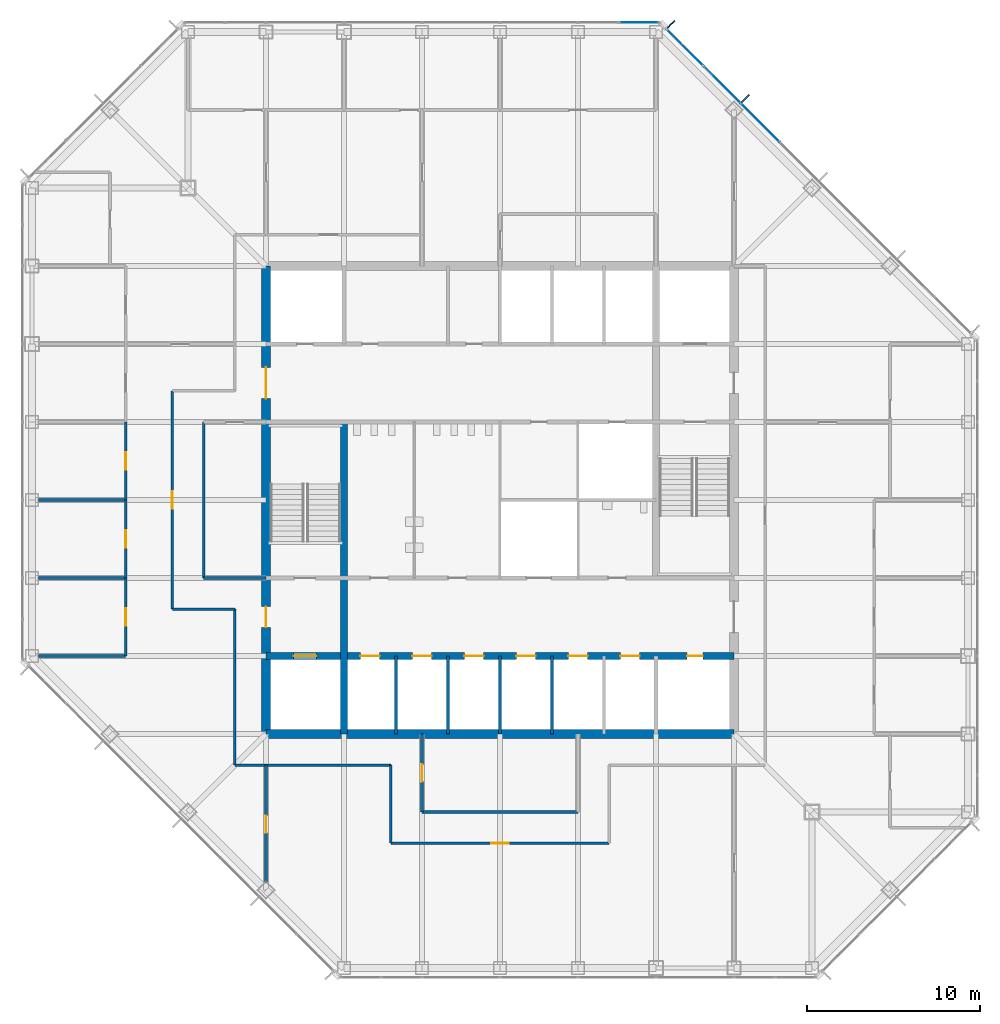
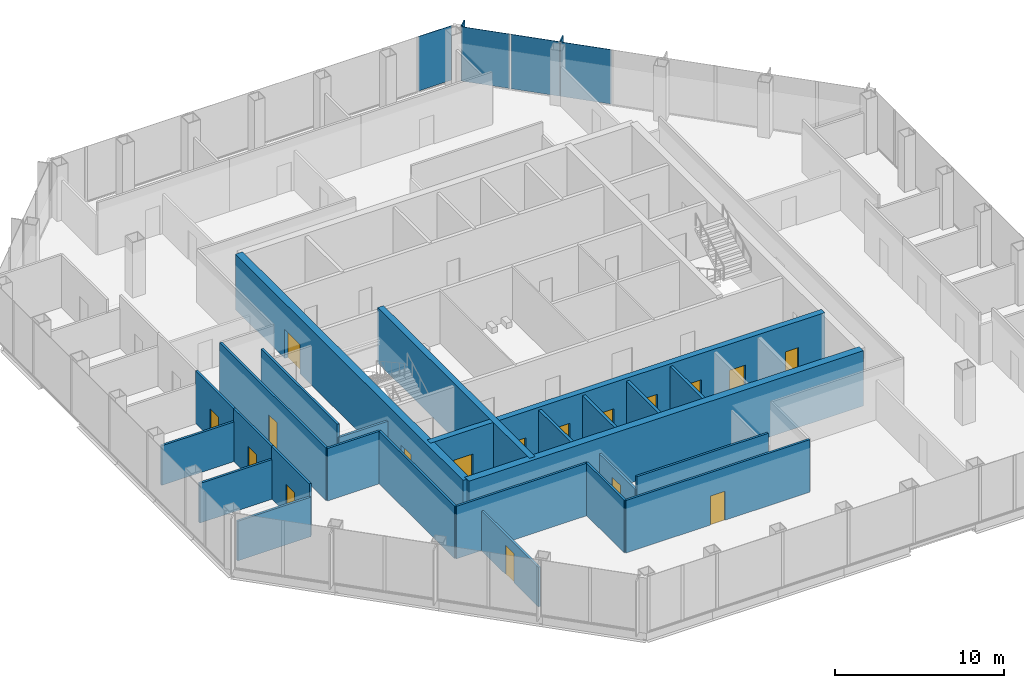
# One storey, part 8 of 13: 25 walls, 17 doors, 6 plates, 17 openings, 2 elements without a shape of their own.
"""IFC4 building model written with IfcOpenShell, lengths in metres."""

from ifc_helpers import new_model, si_unit, direction, frame, frame_2d, origin, origin_2d, place, context, subcontext, project, spatial, rectangle, extrude, material, layer, layer_set, type_object, element, fill, aggregate, save


model = new_model("IFC4")

# Units and contexts
model_context = context("Model", 3, precision=1e-05, world=origin(), true_north=direction((0.0, 1.0)))
body_context = subcontext(model_context, "Body", "Model", "MODEL_VIEW")
ifc_project = project(units=[si_unit("LENGTHUNIT", "METRE"), si_unit("AREAUNIT", "SQUARE_METRE"), si_unit("VOLUMEUNIT", "CUBIC_METRE"), si_unit("PLANEANGLEUNIT", "RADIAN"), si_unit("MASSUNIT", "GRAM", prefix="KILO")], contexts=[model_context])

# Site, building, storey
site_placement = place(None, origin())
site = spatial("IfcSite", under=ifc_project, at=site_placement, CompositionType="ELEMENT")
building_placement = place(site_placement, origin())
building = spatial("IfcBuilding", under=site, at=building_placement, Name="Corais Broadcast Tower", CompositionType="ELEMENT")
storey_placement = place(building_placement, frame((0.0, 0.0, 195.60009765625)))
storey = spatial("IfcBuildingStorey", under=building, at=storey_placement, Name="L45", CompositionType="ELEMENT", Elevation=195.60009765625)

# Curtain wall, plates
ifc_material_1 = material(Name="Aluminium and glass", Category="aluminium")
curtain_wall_type = type_object("IfcCurtainWallType", Name="Unitised fritted curtain wall CW2", PredefinedType="NOTDEFINED", material=ifc_material_1)
curtain_wall_1_placement = place(storey_placement, origin())
curtain_wall_1 = element("IfcCurtainWall", 1, at=curtain_wall_1_placement, inside=storey, type_object=curtain_wall_type, Name="CW2 curtain wall L45 5", PredefinedType="NOTDEFINED")
ifc_material_2 = material(Name="Ceramic-fritted laminated glass", Category="glass")
ifc_layer_1 = layer(ifc_material_2, 0.028076171875)
ifc_layer_set_1 = layer_set([ifc_layer_1], Name="Ceramic-fritted laminated glass")
plate_type_1 = type_object("IfcPlateType", Name="Fritted glass panel CW2", PredefinedType="CURTAIN_PANEL", material=ifc_layer_set_1)
plate_1_placement = place(storey_placement, frame((37.669677734375, 53.108154296875, 0.06494140625), z_axis=(0.0, 0.0, 1.0), x_axis=(0.707106781187, -0.707106781187, 0.0)))
plate_1 = element("IfcPlate", 2, at=plate_1_placement, type_object=plate_type_1, Name="CW2 panel 1", PredefinedType="CURTAIN_PANEL", context=body_context, shape_type="SweptSolid", body=[
    extrude(rectangle(XDim=2.9482421875, YDim=0.028076171875, at=origin_2d()), origin(), (0.0, 0.0, 1.0), 3.93505859375),
])
plate_2_placement = place(storey_placement, frame((42.013916015625, 48.763916015625, 0.06494140625), z_axis=(0.0, 0.0, 1.0), x_axis=(0.707106781187, -0.707106781187, 0.0)))
plate_2 = element("IfcPlate", 3, at=plate_2_placement, type_object=plate_type_1, Name="CW2 panel 3", PredefinedType="CURTAIN_PANEL", context=body_context, shape_type="SweptSolid", body=[
    extrude(rectangle(XDim=3.116943359375, YDim=0.028076171875, at=origin_2d()), origin(), (0.0, 0.0, 1.0), 3.93505859375),
])

# Curtain wall, plate
curtain_wall_2_placement = place(storey_placement, origin())
curtain_wall_2 = element("IfcCurtainWall", 4, at=curtain_wall_2_placement, inside=storey, type_object=curtain_wall_type, Name="CW2 curtain wall L45 4", PredefinedType="NOTDEFINED")
ifc_material_3 = material(Name="Clear laminated glass", Category="glass")
ifc_layer_2 = layer(ifc_material_3, 0.031982421875)
ifc_layer_set_2 = layer_set([ifc_layer_2], Name="Clear laminated glass")
plate_type_2 = type_object("IfcPlateType", Name="Operable glass panel CW2", PredefinedType="CURTAIN_PANEL", material=ifc_layer_set_2)
plate_3_placement = place(storey_placement, frame((35.029541015625, 54.550048828125, 0.06494140625), z_axis=(0.0, 0.0, 1.0), x_axis=(1.0, 0.0, 0.0)))
plate_3 = element("IfcPlate", 5, at=plate_3_placement, type_object=plate_type_2, Name="CW2 operable panel 8", PredefinedType="CURTAIN_PANEL", context=body_context, shape_type="SweptSolid", body=[
    extrude(rectangle(XDim=2.266357421875, YDim=0.031982421875, at=origin_2d()), origin(), (0.0, 0.0, 1.0), 3.93505859375),
])
aggregate(curtain_wall_2, [plate_3])

# Plate
plate_4_placement = place(storey_placement, frame((39.81201171875, 50.9658203125, 0.06494140625), z_axis=(0.0, 0.0, 1.0), x_axis=(0.707106781187, -0.707106781187, 0.0)))
plate_4 = element("IfcPlate", 6, at=plate_4_placement, type_object=plate_type_2, Name="CW2 operable panel 2", PredefinedType="CURTAIN_PANEL", context=body_context, shape_type="SweptSolid", body=[
    extrude(rectangle(XDim=2.98095703125, YDim=0.031982421875, at=origin_2d()), origin(), (0.0, 0.0, 1.0), 3.93505859375),
])

aggregate(curtain_wall_1, [plate_1, plate_4, plate_2])

# Plates
ifc_material_4 = material(Name="Granite stone cladding", Category="masonry")
ifc_layer_3 = layer(ifc_material_4, 0.080078125)
ifc_layer_set_3 = layer_set([ifc_layer_3], Name="Granite stone cladding")
plate_type_3 = type_object("IfcPlateType", Name="Stone screen fin 80x600", PredefinedType="USERDEFINED", material=ifc_layer_set_3)
for number, where, z_axis, x_axis, name in (
    (7, (36.8779296875, 54.447021484375, 0.0), (0.0, 0.0, 1.0), (0.707106781187, -0.707106781187, 0.0), "SF1 stone screen fin L45"),
    (8, (41.16259765625, 50.16259765625, 0.0), (0.0, 0.0, 1.0), (0.707106781187, -0.707106781187, 0.0), "SF1 stone screen fin L45"),
):
    element("IfcPlate", number, at=place(storey_placement, frame(where, z_axis=z_axis, x_axis=x_axis)), inside=storey, type_object=plate_type_3, Name=name, ObjectType="STONE SCREEN FIN", PredefinedType="USERDEFINED", context=body_context, shape_type="SweptSolid", body=[
        extrude(rectangle(XDim=0.080078125, YDim=0.60009765625, at=origin_2d()), origin(), (0.0, 0.0, 1.0), 4.0),
    ])

# Wall
ifc_material_5 = material(Name="Concrete C50/60", Category="concrete")
ifc_layer_4 = layer(ifc_material_5, 0.39990234375)
ifc_layer_set_4 = layer_set([ifc_layer_4], Name="Concrete C50/60")
wall_type_1 = type_object("IfcWallType", Name="Core wall 400", PredefinedType="SHEAR", material=ifc_layer_set_4)
wall_1_placement = place(storey_placement, frame((18.0, 13.5, 0.0), z_axis=(0.0, 0.0, 1.0), x_axis=(0.0, 1.0, 0.0)))
element("IfcWall", 9, at=wall_1_placement, inside=storey, type_object=wall_type_1, Name="CR400 core wall X18A L45", PredefinedType="SHEAR", context=body_context, shape_type="SweptSolid", body=[
    extrude(rectangle(XDim=18.0, YDim=0.39990234375, at=frame_2d((9.0, 0.0))), origin(), (0.0, 0.0, 1.0), 4.0),
])

# Wall, openings, doors
wall_2_placement = place(storey_placement, frame((13.5, 18.0, 0.0), z_axis=(0.0, 0.0, 1.0), x_axis=(1.0, 0.0, 0.0)))
wall_2 = element("IfcWall", 10, at=wall_2_placement, inside=storey, type_object=wall_type_1, Name="CR400 core wall Y18 L45", PredefinedType="SHEAR", context=body_context, shape_type="SweptSolid", body=[
    extrude(rectangle(XDim=27.0, YDim=0.39990234375, at=frame_2d((13.5, 0.0))), origin(), (0.0, 0.0, 1.0), 4.0),
])
opening_1_placement = place(wall_2_placement, frame((24.300048828125, 0.0, 0.0)))
opening_1 = element("IfcOpeningElement", 11, at=opening_1_placement, cuts=wall_2, Name="Opening RD1", PredefinedType="OPENING", context=body_context, shape_type="SweptSolid", body=[
    extrude(rectangle(XDim=0.89990234375, YDim=2.10009765625, at=frame_2d((0.449951171875, 1.050048828125))), frame((0.0, 0.2099609375, 0.0), z_axis=(0.0, -1.0, 0.0), x_axis=(1.0, 0.0, 0.0)), (0.0, 0.0, 1.0), 0.419921875),
])
opening_2_placement = place(wall_2_placement, frame((5.449951171875, 0.0, 0.0)))
opening_2 = element("IfcOpeningElement", 12, at=opening_2_placement, cuts=wall_2, Name="Opening LD1", PredefinedType="OPENING", context=body_context, shape_type="SweptSolid", body=[
    extrude(rectangle(XDim=1.10009765625, YDim=2.10009765625, at=frame_2d((0.550048828125, 1.050048828125))), frame((0.0, 0.2099609375, 0.0), z_axis=(0.0, -1.0, 0.0), x_axis=(1.0, 0.0, 0.0)), (0.0, 0.0, 1.0), 0.419921875),
])
opening_3_placement = place(wall_2_placement, frame((8.449951171875, 0.0, 0.0)))
opening_3 = element("IfcOpeningElement", 13, at=opening_3_placement, cuts=wall_2, Name="Opening LD1", PredefinedType="OPENING", context=body_context, shape_type="SweptSolid", body=[
    extrude(rectangle(XDim=1.10009765625, YDim=2.10009765625, at=frame_2d((0.550048828125, 1.050048828125))), frame((0.0, 0.2099609375, 0.0), z_axis=(0.0, -1.0, 0.0), x_axis=(1.0, 0.0, 0.0)), (0.0, 0.0, 1.0), 0.419921875),
])
opening_4_placement = place(wall_2_placement, frame((11.449951171875, 0.0, 0.0)))
opening_4 = element("IfcOpeningElement", 14, at=opening_4_placement, cuts=wall_2, Name="Opening LD1", PredefinedType="OPENING", context=body_context, shape_type="SweptSolid", body=[
    extrude(rectangle(XDim=1.10009765625, YDim=2.10009765625, at=frame_2d((0.550048828125, 1.050048828125))), frame((0.0, 0.2099609375, 0.0), z_axis=(0.0, -1.0, 0.0), x_axis=(1.0, 0.0, 0.0)), (0.0, 0.0, 1.0), 0.419921875),
])
opening_5_placement = place(wall_2_placement, frame((14.449951171875, 0.0, 0.0)))
opening_5 = element("IfcOpeningElement", 15, at=opening_5_placement, cuts=wall_2, Name="Opening LD1", PredefinedType="OPENING", context=body_context, shape_type="SweptSolid", body=[
    extrude(rectangle(XDim=1.10009765625, YDim=2.10009765625, at=frame_2d((0.550048828125, 1.050048828125))), frame((0.0, 0.2099609375, 0.0), z_axis=(0.0, -1.0, 0.0), x_axis=(1.0, 0.0, 0.0)), (0.0, 0.0, 1.0), 0.419921875),
])
opening_6_placement = place(wall_2_placement, frame((17.449951171875, 0.0, 0.0)))
opening_6 = element("IfcOpeningElement", 16, at=opening_6_placement, cuts=wall_2, Name="Opening LD1", PredefinedType="OPENING", context=body_context, shape_type="SweptSolid", body=[
    extrude(rectangle(XDim=1.10009765625, YDim=2.10009765625, at=frame_2d((0.550048828125, 1.050048828125))), frame((0.0, 0.2099609375, 0.0), z_axis=(0.0, -1.0, 0.0), x_axis=(1.0, 0.0, 0.0)), (0.0, 0.0, 1.0), 0.419921875),
])
opening_7_placement = place(wall_2_placement, frame((20.449951171875, 0.0, 0.0)))
opening_7 = element("IfcOpeningElement", 17, at=opening_7_placement, cuts=wall_2, Name="Opening LD1", PredefinedType="OPENING", context=body_context, shape_type="SweptSolid", body=[
    extrude(rectangle(XDim=1.10009765625, YDim=2.10009765625, at=frame_2d((0.550048828125, 1.050048828125))), frame((0.0, 0.2099609375, 0.0), z_axis=(0.0, -1.0, 0.0), x_axis=(1.0, 0.0, 0.0)), (0.0, 0.0, 1.0), 0.419921875),
])
opening_8_placement = place(wall_2_placement, frame((1.60009765625, 0.0, 0.0)))
opening_8 = element("IfcOpeningElement", 18, at=opening_8_placement, cuts=wall_2, Name="Opening LD2", PredefinedType="OPENING", context=body_context, shape_type="SweptSolid", body=[
    extrude(rectangle(XDim=1.300048828125, YDim=2.199951171875, at=frame_2d((0.64990234375, 1.10009765625))), frame((0.0, 0.2099609375, 0.0), z_axis=(0.0, -1.0, 0.0), x_axis=(1.0, 0.0, 0.0)), (0.0, 0.0, 1.0), 0.419921875),
])
ifc_material_6 = material(Name="Stainless steel lift door", Category="steel")
door_type_1 = type_object("IfcDoorType", Name="Lift landing door 1100x2100", OperationType="SLIDING_TO_LEFT", PredefinedType="DOOR", material=ifc_material_6)
door_1_placement = place(opening_2_placement, origin())
door_1 = element("IfcDoor", 19, at=door_1_placement, inside=storey, type_object=door_type_1, Name="LD1 PM1 landing door L45", OperationType="SLIDING_TO_LEFT", OverallHeight=2.10009765625, OverallWidth=1.10009765625, PredefinedType="DOOR", context=body_context, shape_type="SweptSolid", body=[
    extrude(rectangle(XDim=1.10009765625, YDim=2.10009765625, at=frame_2d((0.550048828125, 1.050048828125))), frame((0.0, 0.02490234375, 0.0), z_axis=(0.0, -1.0, 0.0), x_axis=(1.0, 0.0, 0.0)), (0.0, 0.0, 1.0), 0.050048828125),
])
fill(opening_2, door_1)
door_2_placement = place(opening_3_placement, origin())
door_2 = element("IfcDoor", 20, at=door_2_placement, inside=storey, type_object=door_type_1, Name="LD1 PM2 landing door L45", OperationType="SLIDING_TO_LEFT", OverallHeight=2.10009765625, OverallWidth=1.10009765625, PredefinedType="DOOR", context=body_context, shape_type="SweptSolid", body=[
    extrude(rectangle(XDim=1.10009765625, YDim=2.10009765625, at=frame_2d((0.550048828125, 1.050048828125))), frame((0.0, 0.02490234375, 0.0), z_axis=(0.0, -1.0, 0.0), x_axis=(1.0, 0.0, 0.0)), (0.0, 0.0, 1.0), 0.050048828125),
])
fill(opening_3, door_2)
door_3_placement = place(opening_4_placement, origin())
door_3 = element("IfcDoor", 21, at=door_3_placement, inside=storey, type_object=door_type_1, Name="LD1 PM3 landing door L45", OperationType="SLIDING_TO_LEFT", OverallHeight=2.10009765625, OverallWidth=1.10009765625, PredefinedType="DOOR", context=body_context, shape_type="SweptSolid", body=[
    extrude(rectangle(XDim=1.10009765625, YDim=2.10009765625, at=frame_2d((0.550048828125, 1.050048828125))), frame((0.0, 0.02490234375, 0.0), z_axis=(0.0, -1.0, 0.0), x_axis=(1.0, 0.0, 0.0)), (0.0, 0.0, 1.0), 0.050048828125),
])
fill(opening_4, door_3)
door_4_placement = place(opening_5_placement, origin())
door_4 = element("IfcDoor", 22, at=door_4_placement, inside=storey, type_object=door_type_1, Name="LD1 PM4 landing door L45", OperationType="SLIDING_TO_LEFT", OverallHeight=2.10009765625, OverallWidth=1.10009765625, PredefinedType="DOOR", context=body_context, shape_type="SweptSolid", body=[
    extrude(rectangle(XDim=1.10009765625, YDim=2.10009765625, at=frame_2d((0.550048828125, 1.050048828125))), frame((0.0, 0.02490234375, 0.0), z_axis=(0.0, -1.0, 0.0), x_axis=(1.0, 0.0, 0.0)), (0.0, 0.0, 1.0), 0.050048828125),
])
fill(opening_5, door_4)
door_5_placement = place(opening_6_placement, origin())
door_5 = element("IfcDoor", 23, at=door_5_placement, inside=storey, type_object=door_type_1, Name="LD1 PM5 landing door L45", OperationType="SLIDING_TO_LEFT", OverallHeight=2.10009765625, OverallWidth=1.10009765625, PredefinedType="DOOR", context=body_context, shape_type="SweptSolid", body=[
    extrude(rectangle(XDim=1.10009765625, YDim=2.10009765625, at=frame_2d((0.550048828125, 1.050048828125))), frame((0.0, 0.02490234375, 0.0), z_axis=(0.0, -1.0, 0.0), x_axis=(1.0, 0.0, 0.0)), (0.0, 0.0, 1.0), 0.050048828125),
])
fill(opening_6, door_5)
door_6_placement = place(opening_7_placement, origin())
door_6 = element("IfcDoor", 24, at=door_6_placement, inside=storey, type_object=door_type_1, Name="LD1 PM6 landing door L45", OperationType="SLIDING_TO_LEFT", OverallHeight=2.10009765625, OverallWidth=1.10009765625, PredefinedType="DOOR", context=body_context, shape_type="SweptSolid", body=[
    extrude(rectangle(XDim=1.10009765625, YDim=2.10009765625, at=frame_2d((0.550048828125, 1.050048828125))), frame((0.0, 0.02490234375, 0.0), z_axis=(0.0, -1.0, 0.0), x_axis=(1.0, 0.0, 0.0)), (0.0, 0.0, 1.0), 0.050048828125),
])
fill(opening_7, door_6)
ifc_material_7 = material(Name="Stainless steel lift door", Category="steel")
door_type_2 = type_object("IfcDoorType", Name="Lift landing door 1300x2200", OperationType="SLIDING_TO_LEFT", PredefinedType="DOOR", material=ifc_material_7)
door_7_placement = place(opening_8_placement, origin())
door_7 = element("IfcDoor", 25, at=door_7_placement, inside=storey, type_object=door_type_2, Name="LD2 FL1 landing door L45", OperationType="SLIDING_TO_LEFT", OverallHeight=2.199951171875, OverallWidth=1.300048828125, PredefinedType="DOOR", context=body_context, shape_type="SweptSolid", body=[
    extrude(rectangle(XDim=1.300048828125, YDim=2.199951171875, at=frame_2d((0.64990234375, 1.10009765625))), frame((0.0, 0.02490234375, 0.0), z_axis=(0.0, -1.0, 0.0), x_axis=(1.0, 0.0, 0.0)), (0.0, 0.0, 1.0), 0.050048828125),
])
fill(opening_8, door_7)
ifc_material_8 = material(Name="Steel fire door", Category="steel")
door_type_3 = type_object("IfcDoorType", Name="Riser door 900x2100", OperationType="SINGLE_SWING_LEFT", PredefinedType="DOOR", material=ifc_material_8)
door_8_placement = place(opening_1_placement, origin())
door_8 = element("IfcDoor", 26, at=door_8_placement, inside=storey, type_object=door_type_3, Name="RD1 riser door L45", OperationType="SINGLE_SWING_RIGHT", OverallHeight=2.10009765625, OverallWidth=0.89990234375, PredefinedType="DOOR", context=body_context, shape_type="SweptSolid", body=[
    extrude(rectangle(XDim=0.89990234375, YDim=2.10009765625, at=frame_2d((0.449951171875, 1.050048828125))), frame((0.0, 0.02490234375, 0.0), z_axis=(0.0, -1.0, 0.0), x_axis=(1.0, 0.0, 0.0)), (0.0, 0.0, 1.0), 0.050048828125),
])
fill(opening_1, door_8)

# Wall
ifc_material_9 = material(Name="Concrete C50/60", Category="concrete")
ifc_layer_5 = layer(ifc_material_9, 0.5)
ifc_layer_set_5 = layer_set([ifc_layer_5], Name="Concrete C50/60")
wall_type_2 = type_object("IfcWallType", Name="Core wall 500", PredefinedType="SHEAR", material=ifc_layer_set_5)
wall_3_placement = place(storey_placement, frame((13.5, 13.5, 0.0), z_axis=(0.0, 0.0, 1.0), x_axis=(1.0, 0.0, 0.0)))
element("IfcWall", 27, at=wall_3_placement, inside=storey, type_object=wall_type_2, Name="CR500 core wall S L45", PredefinedType="SHEAR", context=body_context, shape_type="SweptSolid", body=[
    extrude(rectangle(XDim=27.0, YDim=0.5, at=frame_2d((13.5, 0.0))), origin(), (0.0, 0.0, 1.0), 4.0),
])

# Wall, openings, doors
wall_4_placement = place(storey_placement, frame((13.5, 40.5, 0.0), z_axis=(0.0, 0.0, 1.0), x_axis=(0.0, -1.0, 0.0)))
wall_4 = element("IfcWall", 28, at=wall_4_placement, inside=storey, type_object=wall_type_2, Name="CR500 core wall W L45", PredefinedType="SHEAR", context=body_context, shape_type="SweptSolid", body=[
    extrude(rectangle(XDim=27.0, YDim=0.5, at=frame_2d((13.5, 0.0))), origin(), (0.0, 0.0, 1.0), 4.0),
])
opening_9_placement = place(wall_4_placement, frame((19.64990234375, 0.0, 0.0)))
opening_9 = element("IfcOpeningElement", 29, at=opening_9_placement, cuts=wall_4, Name="Opening FD1", PredefinedType="OPENING", context=body_context, shape_type="SweptSolid", body=[
    extrude(rectangle(XDim=1.199951171875, YDim=2.10009765625, at=frame_2d((0.60009765625, 1.050048828125))), frame((0.0, 0.260009765625, 0.0), z_axis=(0.0, -1.0, 0.0), x_axis=(1.0, 0.0, 0.0)), (0.0, 0.0, 1.0), 0.52001953125),
])
opening_10_placement = place(wall_4_placement, frame((5.85009765625, 0.0, 0.0)))
opening_10 = element("IfcOpeningElement", 30, at=opening_10_placement, cuts=wall_4, Name="Opening FD2", PredefinedType="OPENING", context=body_context, shape_type="SweptSolid", body=[
    extrude(rectangle(XDim=1.800048828125, YDim=2.10009765625, at=frame_2d((0.89990234375, 1.050048828125))), frame((0.0, 0.260009765625, 0.0), z_axis=(0.0, -1.0, 0.0), x_axis=(1.0, 0.0, 0.0)), (0.0, 0.0, 1.0), 0.52001953125),
])
ifc_material_10 = material(Name="Steel fire door", Category="steel")
door_type_4 = type_object("IfcDoorType", Name="Fire door 1200x2100", OperationType="SINGLE_SWING_LEFT", PredefinedType="DOOR", material=ifc_material_10)
door_9_placement = place(opening_9_placement, origin())
door_9 = element("IfcDoor", 31, at=door_9_placement, inside=storey, type_object=door_type_4, Name="FD1 fire lobby A door L45", OperationType="SINGLE_SWING_RIGHT", OverallHeight=2.10009765625, OverallWidth=1.199951171875, PredefinedType="DOOR", context=body_context, shape_type="SweptSolid", body=[
    extrude(rectangle(XDim=1.199951171875, YDim=2.10009765625, at=frame_2d((0.60009765625, 1.050048828125))), frame((0.0, 0.02490234375, 0.0), z_axis=(0.0, -1.0, 0.0), x_axis=(1.0, 0.0, 0.0)), (0.0, 0.0, 1.0), 0.050048828125),
])
fill(opening_9, door_9)
ifc_material_11 = material(Name="Steel fire door", Category="steel")
door_type_5 = type_object("IfcDoorType", Name="Fire door pair 1800x2100", OperationType="DOUBLE_DOOR_SINGLE_SWING", PredefinedType="DOOR", material=ifc_material_11)
door_10_placement = place(opening_10_placement, origin())
door_10 = element("IfcDoor", 32, at=door_10_placement, inside=storey, type_object=door_type_5, Name="FD2 lift lobby door L45", OperationType="SINGLE_SWING_LEFT", OverallHeight=2.10009765625, OverallWidth=1.800048828125, PredefinedType="DOOR", context=body_context, shape_type="SweptSolid", body=[
    extrude(rectangle(XDim=1.800048828125, YDim=2.10009765625, at=frame_2d((0.89990234375, 1.050048828125))), frame((0.0, 0.02490234375, 0.0), z_axis=(0.0, -1.0, 0.0), x_axis=(1.0, 0.0, 0.0)), (0.0, 0.0, 1.0), 0.050048828125),
])
fill(opening_10, door_10)

# Wall, opening, door
ifc_material_12 = material(Name="Gypsum board on steel studs", Category="steel")
ifc_layer_6 = layer(ifc_material_12, 0.14990234375)
ifc_layer_set_6 = layer_set([ifc_layer_6], Name="Gypsum board on steel studs")
wall_type_3 = type_object("IfcWallType", Name="Partition 150", PredefinedType="PARTITIONING", material=ifc_layer_set_6)
wall_5_placement = place(storey_placement, frame((8.10009765625, 33.300048828125, 0.0), z_axis=(0.0, 0.0, 1.0), x_axis=(0.0, -1.0, 0.0)))
wall_5 = element("IfcWall", 33, at=wall_5_placement, inside=storey, type_object=wall_type_3, Name="IW3 corridor wall L45", PredefinedType="PARTITIONING", context=body_context, shape_type="SweptSolid", body=[
    extrude(rectangle(XDim=12.60009765625, YDim=0.14990234375, at=frame_2d((6.300048828125, 0.0))), origin(), (0.0, 0.0, 1.0), 3.7998046875),
])
opening_11_placement = place(wall_5_placement, frame((5.800048828125, 0.0, 0.0)))
opening_11 = element("IfcOpeningElement", 34, at=opening_11_placement, cuts=wall_5, Name="Opening D1", PredefinedType="OPENING", context=body_context, shape_type="SweptSolid", body=[
    extrude(rectangle(XDim=1.0, YDim=2.10009765625, at=frame_2d((0.5, 1.050048828125))), frame((0.0, 0.0849609375, 0.0), z_axis=(0.0, -1.0, 0.0), x_axis=(1.0, 0.0, 0.0)), (0.0, 0.0, 1.0), 0.169921875),
])
ifc_material_13 = material(Name="Timber door", Category="wood")
door_type_6 = type_object("IfcDoorType", Name="Single door 1000x2100", OperationType="SINGLE_SWING_LEFT", PredefinedType="DOOR", material=ifc_material_13)
door_11_placement = place(opening_11_placement, origin())
door_11 = element("IfcDoor", 35, at=door_11_placement, inside=storey, type_object=door_type_6, Name="D1 workplace door L45", OperationType="SINGLE_SWING_LEFT", OverallHeight=2.10009765625, OverallWidth=1.0, PredefinedType="DOOR", context=body_context, shape_type="SweptSolid", body=[
    extrude(rectangle(XDim=1.0, YDim=2.10009765625, at=frame_2d((0.5, 1.050048828125))), frame((0.0, 0.02490234375, 0.0), z_axis=(0.0, -1.0, 0.0), x_axis=(1.0, 0.0, 0.0)), (0.0, 0.0, 1.0), 0.050048828125),
])
fill(opening_11, door_11)

wall_6_placement = place(storey_placement, frame((20.699951171875, 7.199951171875, 0.0), z_axis=(0.0, 0.0, 1.0), x_axis=(1.0, 0.0, 0.0)))
wall_6 = element("IfcWall", 36, at=wall_6_placement, inside=storey, type_object=wall_type_3, Name="IW3 corridor wall L45", PredefinedType="PARTITIONING", context=body_context, shape_type="SweptSolid", body=[
    extrude(rectangle(XDim=12.60009765625, YDim=0.14990234375, at=frame_2d((6.300048828125, 0.0))), origin(), (0.0, 0.0, 1.0), 3.7998046875),
])
opening_12_placement = place(wall_6_placement, frame((5.800048828125, 0.0, 0.0)))
opening_12 = element("IfcOpeningElement", 37, at=opening_12_placement, cuts=wall_6, Name="Opening D1", PredefinedType="OPENING", context=body_context, shape_type="SweptSolid", body=[
    extrude(rectangle(XDim=1.0, YDim=2.10009765625, at=frame_2d((0.5, 1.050048828125))), frame((0.0, 0.0849609375, 0.0), z_axis=(0.0, -1.0, 0.0), x_axis=(1.0, 0.0, 0.0)), (0.0, 0.0, 1.0), 0.169921875),
])
door_12_placement = place(opening_12_placement, origin())
door_12 = element("IfcDoor", 38, at=door_12_placement, inside=storey, type_object=door_type_6, Name="D1 workplace door L45", OperationType="SINGLE_SWING_LEFT", OverallHeight=2.10009765625, OverallWidth=1.0, PredefinedType="DOOR", context=body_context, shape_type="SweptSolid", body=[
    extrude(rectangle(XDim=1.0, YDim=2.10009765625, at=frame_2d((0.5, 1.050048828125))), frame((0.0, 0.02490234375, 0.0), z_axis=(0.0, -1.0, 0.0), x_axis=(1.0, 0.0, 0.0)), (0.0, 0.0, 1.0), 0.050048828125),
])
fill(opening_12, door_12)

# Walls
for number, where, z_axis, x_axis, name in (
    (39, (11.699951171875, 11.699951171875, 0.0), (0.0, 0.0, 1.0), (1.0, 0.0, 0.0), "IW3 corridor wall L45"),
    (40, (11.699951171875, 20.699951171875, 0.0), (0.0, 0.0, 1.0), (0.0, -1.0, 0.0), "IW3 corridor wall L45"),
):
    element("IfcWall", number, at=place(storey_placement, frame(where, z_axis=z_axis, x_axis=x_axis)), inside=storey, type_object=wall_type_3, Name=name, PredefinedType="PARTITIONING", context=body_context, shape_type="SweptSolid", body=[
        extrude(rectangle(XDim=9.0, YDim=0.14990234375, at=frame_2d((4.5, 0.0))), origin(), (0.0, 0.0, 1.0), 3.7998046875),
    ])
wall_7_placement = place(storey_placement, frame((20.699951171875, 11.699951171875, 0.0), z_axis=(0.0, 0.0, 1.0), x_axis=(0.0, -1.0, 0.0)))
element("IfcWall", 41, at=wall_7_placement, inside=storey, type_object=wall_type_3, Name="IW3 corridor wall L45", PredefinedType="PARTITIONING", context=body_context, shape_type="SweptSolid", body=[
    extrude(rectangle(XDim=4.5, YDim=0.14990234375, at=frame_2d((2.25, 0.0))), origin(), (0.0, 0.0, 1.0), 3.7998046875),
])
wall_8_placement = place(storey_placement, frame((8.10009765625, 20.699951171875, 0.0), z_axis=(0.0, 0.0, 1.0), x_axis=(1.0, 0.0, 0.0)))
element("IfcWall", 42, at=wall_8_placement, inside=storey, type_object=wall_type_3, Name="IW3 corridor wall L45", PredefinedType="PARTITIONING", context=body_context, shape_type="SweptSolid", body=[
    extrude(rectangle(XDim=3.599853515625, YDim=0.14990234375, at=frame_2d((1.7998046875, 0.0))), origin(), (0.0, 0.0, 1.0), 3.7998046875),
])
wall_9_placement = place(storey_placement, frame((9.89990234375, 22.5, 0.0), z_axis=(0.0, 0.0, 1.0), x_axis=(1.0, 0.0, 0.0)))
element("IfcWall", 43, at=wall_9_placement, inside=storey, type_object=wall_type_3, Name="IW3 partition L45", PredefinedType="PARTITIONING", context=body_context, shape_type="SweptSolid", body=[
    extrude(rectangle(XDim=3.60009765625, YDim=0.14990234375, at=frame_2d((1.800048828125, 0.0))), origin(), (0.0, 0.0, 1.0), 2.867919921875),
])
for number, where, z_axis, x_axis, name in (
    (44, (9.89990234375, 31.5, 0.0), (0.0, 0.0, 1.0), (0.0, -1.0, 0.0), "IW3 partition L45"),
    (45, (22.5, 9.0, 0.0), (0.0, 0.0, 1.0), (1.0, 0.0, 0.0), "IW3 partition L45"),
):
    element("IfcWall", number, at=place(storey_placement, frame(where, z_axis=z_axis, x_axis=x_axis)), inside=storey, type_object=wall_type_3, Name=name, PredefinedType="PARTITIONING", context=body_context, shape_type="SweptSolid", body=[
        extrude(rectangle(XDim=9.0, YDim=0.14990234375, at=frame_2d((4.5, 0.0))), origin(), (0.0, 0.0, 1.0), 3.7998046875),
    ])

# Wall, opening, door
wall_10_placement = place(storey_placement, frame((22.5, 13.5, 0.0), z_axis=(0.0, 0.0, 1.0), x_axis=(0.0, -1.0, 0.0)))
wall_10 = element("IfcWall", 46, at=wall_10_placement, inside=storey, type_object=wall_type_3, Name="IW3 partition L45", PredefinedType="PARTITIONING", context=body_context, shape_type="SweptSolid", body=[
    extrude(rectangle(XDim=4.5, YDim=0.14990234375, at=frame_2d((2.25, 0.0))), origin(), (0.0, 0.0, 1.0), 2.867919921875),
])
opening_13_placement = place(wall_10_placement, frame((1.75, 0.0, 0.0)))
opening_13 = element("IfcOpeningElement", 47, at=opening_13_placement, cuts=wall_10, Name="Opening D1", PredefinedType="OPENING", context=body_context, shape_type="SweptSolid", body=[
    extrude(rectangle(XDim=1.0, YDim=2.10009765625, at=frame_2d((0.5, 1.050048828125))), frame((0.0, 0.0849609375, 0.0), z_axis=(0.0, -1.0, 0.0), x_axis=(1.0, 0.0, 0.0)), (0.0, 0.0, 1.0), 0.169921875),
])
door_13_placement = place(opening_13_placement, origin())
door_13 = element("IfcDoor", 48, at=door_13_placement, inside=storey, type_object=door_type_6, Name="D1 Meeting room door", OperationType="SINGLE_SWING_LEFT", OverallHeight=2.10009765625, OverallWidth=1.0, PredefinedType="DOOR", context=body_context, shape_type="SweptSolid", body=[
    extrude(rectangle(XDim=1.0, YDim=2.10009765625, at=frame_2d((0.5, 1.050048828125))), frame((0.0, 0.02490234375, 0.0), z_axis=(0.0, -1.0, 0.0), x_axis=(1.0, 0.0, 0.0)), (0.0, 0.0, 1.0), 0.050048828125),
])
fill(opening_13, door_13)

# Wall
wall_11_placement = place(storey_placement, frame((0.385009765625, 18.0, 0.0), z_axis=(0.0, 0.0, 1.0), x_axis=(1.0, 0.0, 0.0)))
element("IfcWall", 49, at=wall_11_placement, inside=storey, type_object=wall_type_3, Name="IW3 partition L45", PredefinedType="PARTITIONING", context=body_context, shape_type="SweptSolid", body=[
    extrude(rectangle(XDim=5.014892578125, YDim=0.14990234375, at=frame_2d((2.50732421875, 0.0))), origin(), (0.0, 0.0, 1.0), 2.867919921875),
])

# Wall, opening, door
wall_12_placement = place(storey_placement, frame((5.39990234375, 18.0, 0.0), z_axis=(0.0, 0.0, 1.0), x_axis=(0.0, 1.0, 0.0)))
wall_12 = element("IfcWall", 50, at=wall_12_placement, inside=storey, type_object=wall_type_3, Name="IW3 partition L45", PredefinedType="PARTITIONING", context=body_context, shape_type="SweptSolid", body=[
    extrude(rectangle(XDim=4.5, YDim=0.14990234375, at=frame_2d((2.25, 0.0))), origin(), (0.0, 0.0, 1.0), 3.7998046875),
])
opening_14_placement = place(wall_12_placement, frame((1.75, 0.0, 0.0)))
opening_14 = element("IfcOpeningElement", 51, at=opening_14_placement, cuts=wall_12, Name="Opening D1", PredefinedType="OPENING", context=body_context, shape_type="SweptSolid", body=[
    extrude(rectangle(XDim=1.0, YDim=2.10009765625, at=frame_2d((0.5, 1.050048828125))), frame((0.0, 0.0849609375, 0.0), z_axis=(0.0, -1.0, 0.0), x_axis=(1.0, 0.0, 0.0)), (0.0, 0.0, 1.0), 0.169921875),
])
door_14_placement = place(opening_14_placement, origin())
door_14 = element("IfcDoor", 52, at=door_14_placement, inside=storey, type_object=door_type_6, Name="D1 Treatment room door", OperationType="SINGLE_SWING_LEFT", OverallHeight=2.10009765625, OverallWidth=1.0, PredefinedType="DOOR", context=body_context, shape_type="SweptSolid", body=[
    extrude(rectangle(XDim=1.0, YDim=2.10009765625, at=frame_2d((0.5, 1.050048828125))), frame((0.0, 0.02490234375, 0.0), z_axis=(0.0, -1.0, 0.0), x_axis=(1.0, 0.0, 0.0)), (0.0, 0.0, 1.0), 0.050048828125),
])
fill(opening_14, door_14)

# Wall
wall_13_placement = place(storey_placement, frame((5.39990234375, 22.5, 0.0), z_axis=(0.0, 0.0, 1.0), x_axis=(-1.0, 0.0, 0.0)))
element("IfcWall", 53, at=wall_13_placement, inside=storey, type_object=wall_type_3, Name="IW3 partition L45", PredefinedType="PARTITIONING", context=body_context, shape_type="SweptSolid", body=[
    extrude(rectangle(XDim=5.014892578125, YDim=0.14990234375, at=frame_2d((2.50732421875, 0.0))), origin(), (0.0, 0.0, 1.0), 2.867919921875),
])

# Wall, opening, door
wall_14_placement = place(storey_placement, frame((5.39990234375, 22.5, 0.0), z_axis=(0.0, 0.0, 1.0), x_axis=(0.0, 1.0, 0.0)))
wall_14 = element("IfcWall", 54, at=wall_14_placement, inside=storey, type_object=wall_type_3, Name="IW3 partition L45", PredefinedType="PARTITIONING", context=body_context, shape_type="SweptSolid", body=[
    extrude(rectangle(XDim=4.5, YDim=0.14990234375, at=frame_2d((2.25, 0.0))), origin(), (0.0, 0.0, 1.0), 3.7998046875),
])
opening_15_placement = place(wall_14_placement, frame((1.75, 0.0, 0.0)))
opening_15 = element("IfcOpeningElement", 55, at=opening_15_placement, cuts=wall_14, Name="Opening D1", PredefinedType="OPENING", context=body_context, shape_type="SweptSolid", body=[
    extrude(rectangle(XDim=1.0, YDim=2.10009765625, at=frame_2d((0.5, 1.050048828125))), frame((0.0, 0.0849609375, 0.0), z_axis=(0.0, -1.0, 0.0), x_axis=(1.0, 0.0, 0.0)), (0.0, 0.0, 1.0), 0.169921875),
])
door_15_placement = place(opening_15_placement, origin())
door_15 = element("IfcDoor", 56, at=door_15_placement, inside=storey, type_object=door_type_6, Name="D1 Treatment room door", OperationType="SINGLE_SWING_LEFT", OverallHeight=2.10009765625, OverallWidth=1.0, PredefinedType="DOOR", context=body_context, shape_type="SweptSolid", body=[
    extrude(rectangle(XDim=1.0, YDim=2.10009765625, at=frame_2d((0.5, 1.050048828125))), frame((0.0, 0.02490234375, 0.0), z_axis=(0.0, -1.0, 0.0), x_axis=(1.0, 0.0, 0.0)), (0.0, 0.0, 1.0), 0.050048828125),
])
fill(opening_15, door_15)

# Wall
wall_15_placement = place(storey_placement, frame((5.39990234375, 27.0, 0.0), z_axis=(0.0, 0.0, 1.0), x_axis=(-1.0, 0.0, 0.0)))
element("IfcWall", 57, at=wall_15_placement, inside=storey, type_object=wall_type_3, Name="IW3 partition L45", PredefinedType="PARTITIONING", context=body_context, shape_type="SweptSolid", body=[
    extrude(rectangle(XDim=5.014892578125, YDim=0.14990234375, at=frame_2d((2.50732421875, 0.0))), origin(), (0.0, 0.0, 1.0), 2.867919921875),
])

# Wall, opening, door
wall_16_placement = place(storey_placement, frame((5.39990234375, 27.0, 0.0), z_axis=(0.0, 0.0, 1.0), x_axis=(0.0, 1.0, 0.0)))
wall_16 = element("IfcWall", 58, at=wall_16_placement, inside=storey, type_object=wall_type_3, Name="IW3 partition L45", PredefinedType="PARTITIONING", context=body_context, shape_type="SweptSolid", body=[
    extrude(rectangle(XDim=4.5, YDim=0.14990234375, at=frame_2d((2.25, 0.0))), origin(), (0.0, 0.0, 1.0), 3.7998046875),
])
opening_16_placement = place(wall_16_placement, frame((1.75, 0.0, 0.0)))
opening_16 = element("IfcOpeningElement", 59, at=opening_16_placement, cuts=wall_16, Name="Opening D1", PredefinedType="OPENING", context=body_context, shape_type="SweptSolid", body=[
    extrude(rectangle(XDim=1.0, YDim=2.10009765625, at=frame_2d((0.5, 1.050048828125))), frame((0.0, 0.0849609375, 0.0), z_axis=(0.0, -1.0, 0.0), x_axis=(1.0, 0.0, 0.0)), (0.0, 0.0, 1.0), 0.169921875),
])
door_16_placement = place(opening_16_placement, origin())
door_16 = element("IfcDoor", 60, at=door_16_placement, inside=storey, type_object=door_type_6, Name="D1 Treatment room door", OperationType="SINGLE_SWING_LEFT", OverallHeight=2.10009765625, OverallWidth=1.0, PredefinedType="DOOR", context=body_context, shape_type="SweptSolid", body=[
    extrude(rectangle(XDim=1.0, YDim=2.10009765625, at=frame_2d((0.5, 1.050048828125))), frame((0.0, 0.02490234375, 0.0), z_axis=(0.0, -1.0, 0.0), x_axis=(1.0, 0.0, 0.0)), (0.0, 0.0, 1.0), 0.050048828125),
])
fill(opening_16, door_16)

wall_17_placement = place(storey_placement, frame((13.5, 4.89501953125, 0.0), z_axis=(0.0, 0.0, 1.0), x_axis=(0.0, 1.0, 0.0)))
wall_17 = element("IfcWall", 61, at=wall_17_placement, inside=storey, type_object=wall_type_3, Name="IW3 partition L45", PredefinedType="PARTITIONING", context=body_context, shape_type="SweptSolid", body=[
    extrude(rectangle(XDim=6.804931640625, YDim=0.14990234375, at=frame_2d((3.40234375, 0.0))), origin(), (0.0, 0.0, 1.0), 2.867919921875),
])
opening_17_placement = place(wall_17_placement, frame((2.902587890625, 0.0, 0.0)))
opening_17 = element("IfcOpeningElement", 62, at=opening_17_placement, cuts=wall_17, Name="Opening D1", PredefinedType="OPENING", context=body_context, shape_type="SweptSolid", body=[
    extrude(rectangle(XDim=1.0, YDim=2.10009765625, at=frame_2d((0.5, 1.050048828125))), frame((0.0, 0.0849609375, 0.0), z_axis=(0.0, -1.0, 0.0), x_axis=(1.0, 0.0, 0.0)), (0.0, 0.0, 1.0), 0.169921875),
])
door_17_placement = place(opening_17_placement, origin())
door_17 = element("IfcDoor", 63, at=door_17_placement, inside=storey, type_object=door_type_6, Name="D1 team room door L45", OperationType="SINGLE_SWING_LEFT", OverallHeight=2.10009765625, OverallWidth=1.0, PredefinedType="DOOR", context=body_context, shape_type="SweptSolid", body=[
    extrude(rectangle(XDim=1.0, YDim=2.10009765625, at=frame_2d((0.5, 1.050048828125))), frame((0.0, 0.02490234375, 0.0), z_axis=(0.0, -1.0, 0.0), x_axis=(1.0, 0.0, 0.0)), (0.0, 0.0, 1.0), 0.050048828125),
])
fill(opening_17, door_17)

# Walls
ifc_material_14 = material(Name="Concrete blockwork class A, grouted, two-hour", Category="masonry")
ifc_layer_7 = layer(ifc_material_14, 0.199951171875)
ifc_layer_set_7 = layer_set([ifc_layer_7], Name="Concrete blockwork class A, grouted, two-hour")
wall_type_4 = type_object("IfcWallType", Name="Shaft wall 200", PredefinedType="PARTITIONING", material=ifc_layer_set_7)
for number, where, z_axis, x_axis, name in (
    (64, (21.0, 13.5, 0.0), (0.0, 0.0, 1.0), (0.0, 1.0, 0.0), "IW1 shaft wall L45"),
    (65, (24.0, 13.5, 0.0), (0.0, 0.0, 1.0), (0.0, 1.0, 0.0), "IW1 shaft wall L45"),
    (66, (27.0, 13.5, 0.0), (0.0, 0.0, 1.0), (0.0, 1.0, 0.0), "IW1 shaft wall L45"),
    (67, (30.0, 13.5, 0.0), (0.0, 0.0, 1.0), (0.0, 1.0, 0.0), "IW1 shaft wall L45"),
):
    element("IfcWall", number, at=place(storey_placement, frame(where, z_axis=z_axis, x_axis=x_axis)), inside=storey, type_object=wall_type_4, Name=name, PredefinedType="PARTITIONING", context=body_context, shape_type="SweptSolid", body=[
        extrude(rectangle(XDim=4.5, YDim=0.199951171875, at=frame_2d((2.25, 0.0))), origin(), (0.0, 0.0, 1.0), 3.7998046875),
    ])

save(model, "model.ifc")
